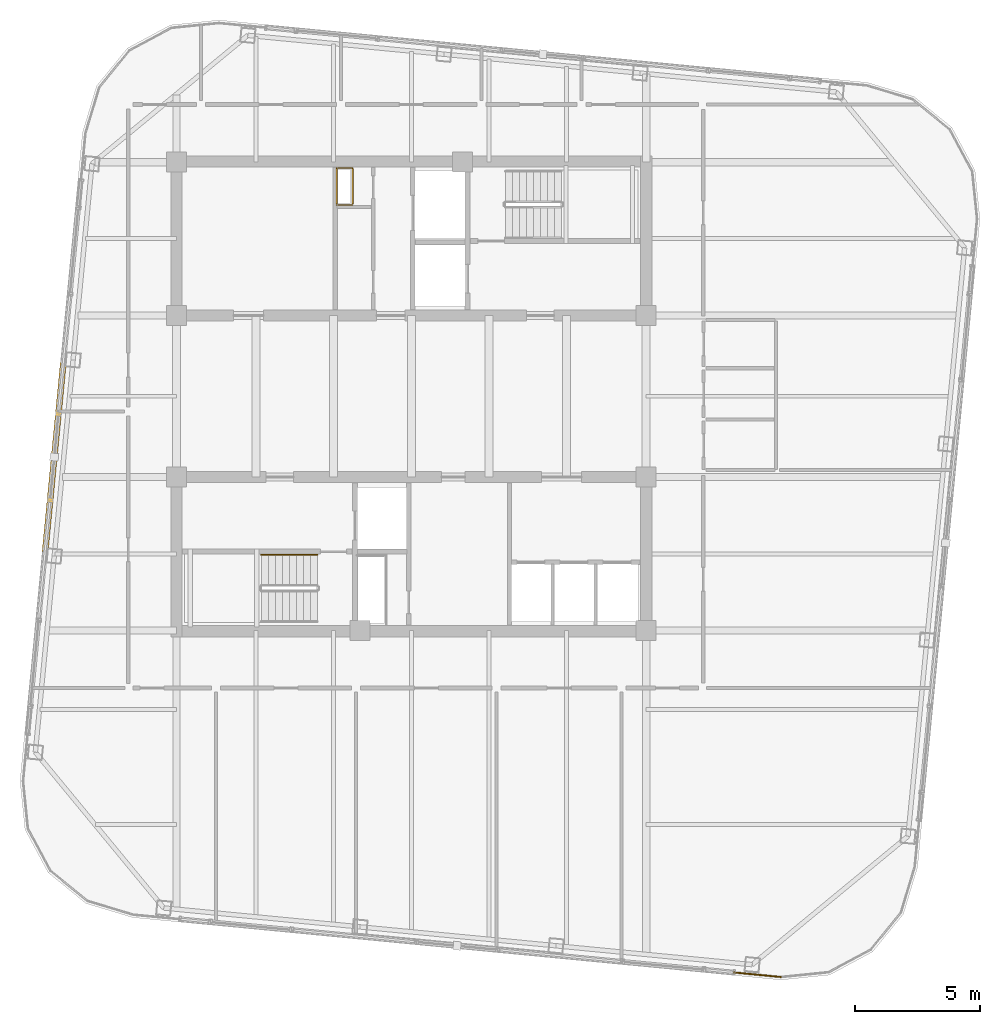
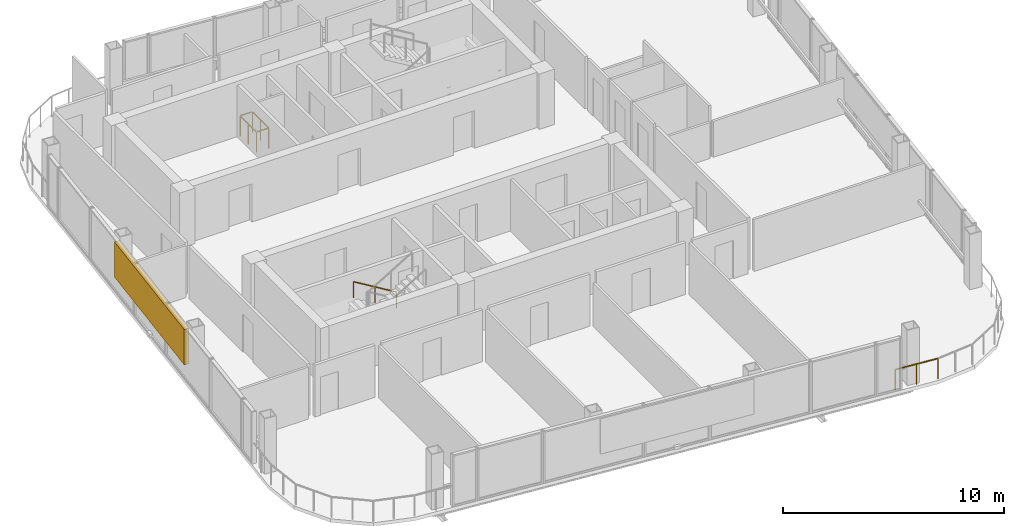
# One storey, part 25 of 27: 3 railings, 1 shading device.
"""IFC4 building model written with IfcOpenShell, lengths in metres."""

from ifc_helpers import new_model, si_unit, direction, frame, origin, origin_2d, place, context, subcontext, project, spatial, rectangle, extrude, material, type_object, element, save


model = new_model("IFC4")

# Units and contexts
model_context = context("Model", 3, precision=1e-05, world=origin(), true_north=direction((0.0, 1.0)))
body_context = subcontext(model_context, "Body", "Model", "MODEL_VIEW")
ifc_project = project(units=[si_unit("LENGTHUNIT", "METRE"), si_unit("AREAUNIT", "SQUARE_METRE"), si_unit("VOLUMEUNIT", "CUBIC_METRE"), si_unit("PLANEANGLEUNIT", "RADIAN"), si_unit("MASSUNIT", "GRAM", prefix="KILO")], contexts=[model_context])

# Site, building, storey
site_placement = place(None, origin())
site = spatial("IfcSite", under=ifc_project, at=site_placement, CompositionType="ELEMENT")
building_placement = place(site_placement, origin())
building = spatial("IfcBuilding", under=site, at=building_placement, Name="Qhalaya Broadcast Tower", CompositionType="ELEMENT")
storey_placement = place(building_placement, frame((0.0, 0.0, 258.10009765625)))
storey = spatial("IfcBuildingStorey", under=building, at=storey_placement, Name="L76", CompositionType="ELEMENT", Elevation=258.10009765625)

# Railings
ifc_material_1 = material(Name="Powder-Coated Galvanised Steel", Category="steel")
railing_type_1 = type_object("IfcRailingType", Name="Stair Wall Handrail 900", PredefinedType="HANDRAIL", material=ifc_material_1)
railing_1_placement = place(storey_placement, frame((-3.75, -5.72998046875, 0.16943359375)))
element("IfcRailing", 1, at=railing_1_placement, inside=storey, type_object=railing_type_1, Name="L76 ST-2 Stair Handrail 1", PredefinedType="HANDRAIL", context=body_context, shape_type="SweptSolid", body=[
    extrude(rectangle(XDim=0.048095703125, YDim=0.048095703125, at=origin_2d()), frame((0.0, 0.0, 0.8759765625), z_axis=(-0.855553338991, 0.0, 0.51771467445), x_axis=(0.0, -1.0, 0.0)), (0.0, 0.0, 1.0), 2.6181640625),
    extrude(rectangle(XDim=0.0419921875, YDim=0.0419921875, at=origin_2d()), origin(), (0.0, 0.0, 1.0), 0.849853515625),
    extrude(rectangle(XDim=0.0419921875, YDim=0.0419921875, at=origin_2d()), frame((-1.1201171875, 0.0, 0.677734375)), (0.0, 0.0, 1.0), 0.849853515625),
    extrude(rectangle(XDim=0.0419921875, YDim=0.0419921875, at=origin_2d()), frame((-2.239990234375, 0.0, 1.35546875)), (0.0, 0.0, 1.0), 0.849853515625),
])
railing_type_2 = type_object("IfcRailingType", Name="Stair Well & Landing Guardrail 1100", PredefinedType="GUARDRAIL", material=ifc_material_1)
railing_2_placement = place(storey_placement, frame((-2.340087890625, 8.239990234375, 0.0)))
element("IfcRailing", 2, at=railing_2_placement, inside=storey, type_object=railing_type_2, Name="L76 Service Riser Opening Safety Guard NRSR", PredefinedType="GUARDRAIL", context=body_context, shape_type="SweptSolid", body=[
    extrude(rectangle(XDim=0.048095703125, YDim=0.048095703125, at=origin_2d()), frame((0.0, 0.02880859375, 1.1259765625), z_axis=(0.0, 1.0, 0.0), x_axis=(-1.0, 0.0, 0.0)), (0.0, 0.0, 1.0), 1.42236328125),
    extrude(rectangle(XDim=0.048095703125, YDim=0.048095703125, at=origin_2d()), frame((-0.02880859375, 1.47998046875, 1.1259765625), z_axis=(-1.0, 0.0, 0.0), x_axis=(0.0, -1.0, 0.0)), (0.0, 0.0, 1.0), 0.582275390625),
    extrude(rectangle(XDim=0.048095703125, YDim=0.048095703125, at=origin_2d()), frame((-0.639892578125, 1.451171875, 1.1259765625), z_axis=(0.0, -1.0, 0.0), x_axis=(1.0, 0.0, 0.0)), (0.0, 0.0, 1.0), 1.42236328125),
    extrude(rectangle(XDim=0.048095703125, YDim=0.048095703125, at=origin_2d()), frame((-0.611083984375, 0.0, 1.1259765625), z_axis=(1.0, 0.0, 0.0), x_axis=(0.0, 1.0, 0.0)), (0.0, 0.0, 1.0), 0.582275390625),
    extrude(rectangle(XDim=0.0419921875, YDim=0.0419921875, at=origin_2d()), origin(), (0.0, 0.0, 1.0), 1.099853515625),
    extrude(rectangle(XDim=0.0419921875, YDim=0.0419921875, at=origin_2d()), frame((0.0, 0.739990234375, 0.0)), (0.0, 0.0, 1.0), 1.099853515625),
    extrude(rectangle(XDim=0.0419921875, YDim=0.0419921875, at=origin_2d()), frame((0.0, 1.47998046875, 0.0)), (0.0, 0.0, 1.0), 1.099853515625),
    extrude(rectangle(XDim=0.0419921875, YDim=0.0419921875, at=origin_2d()), frame((-0.639892578125, 1.47998046875, 0.0)), (0.0, 0.0, 1.0), 1.099853515625),
    extrude(rectangle(XDim=0.0419921875, YDim=0.0419921875, at=origin_2d()), frame((-0.639892578125, 0.739990234375, 0.0)), (0.0, 0.0, 1.0), 1.099853515625),
    extrude(rectangle(XDim=0.0419921875, YDim=0.0419921875, at=origin_2d()), frame((-0.639892578125, 0.0, 0.0)), (0.0, 0.0, 1.0), 1.099853515625),
])
railing_type_3 = type_object("IfcRailingType", Name="Terrace, Sky-Pool & Lookout Glass Balustrade 1150", PredefinedType="BALUSTRADE", material=ifc_material_1)
railing_3_placement = place(storey_placement, frame((14.754638671875, -22.58251953125, 0.0)))
element("IfcRailing", 3, at=railing_3_placement, inside=storey, type_object=railing_type_3, Name="L76 Rounded Corner Perimeter Guard 01", PredefinedType="BALUSTRADE", context=body_context, shape_type="SweptSolid", body=[
    extrude(rectangle(XDim=0.048095703125, YDim=0.048095703125, at=origin_2d()), frame((0.0, 0.0, 1.1259765625), z_axis=(-0.995391273094, 0.095896889673, 0.0), x_axis=(-0.095896889673, -0.995391273094, 0.0)), (0.0, 0.0, 1.0), 2.1181640625),
    extrude(rectangle(XDim=0.0419921875, YDim=0.0419921875, at=origin_2d()), origin(), (0.0, 0.0, 1.0), 1.099853515625),
    extrude(rectangle(XDim=0.0419921875, YDim=0.0419921875, at=origin_2d()), frame((-1.05419921875, 0.1015625, 0.0)), (0.0, 0.0, 1.0), 1.099853515625),
    extrude(rectangle(XDim=0.0419921875, YDim=0.0419921875, at=origin_2d()), frame((-2.1083984375, 0.203125, 0.0)), (0.0, 0.0, 1.0), 1.099853515625),
])

# Shading device
ifc_material_2 = material(Name="Fired Architectural Terracotta", Category="masonry")
shading_device_type = type_object("IfcShadingDeviceType", Name="Terracotta Baguette Solar Screen Assembly TBS-01", PredefinedType="USERDEFINED", material=ifc_material_2)
shading_device_placement = place(storey_placement, frame((-14.2578125, -1.826171875, 0.80078125), z_axis=(0.0, 0.0, 1.0), x_axis=(-0.09584575252, -0.995396198367, 0.0)))
element("IfcShadingDevice", 4, at=shading_device_placement, inside=storey, type_object=shading_device_type, Name="L76 Fired Terracotta Baguette Screen W", ObjectType="BAGUETTE", PredefinedType="USERDEFINED", context=body_context, shape_type="SweptSolid", body=[
    extrude(rectangle(XDim=7.60009765625, YDim=0.239990234375, at=origin_2d()), origin(), (0.0, 0.0, 1.0), 1.945068359375),
])

save(model, "model.ifc")
